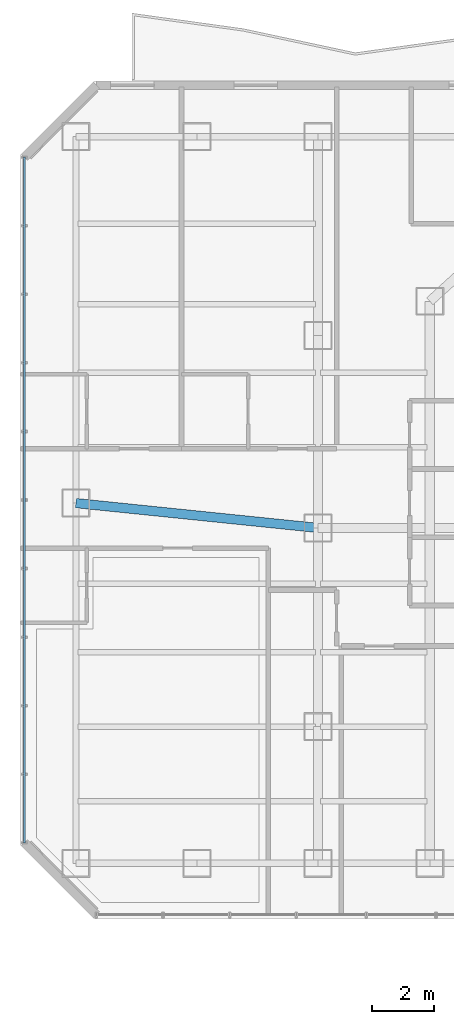
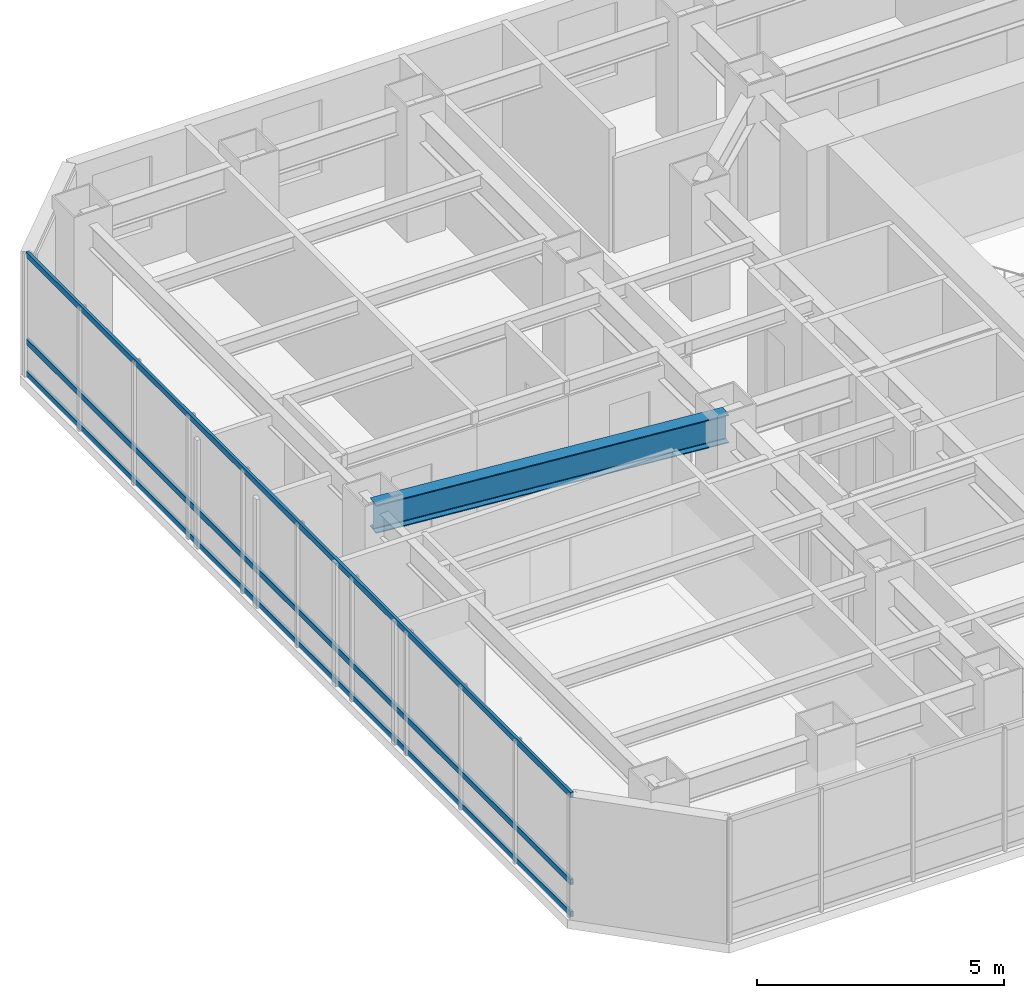
# One storey, part 20 of 36: 3 members, 1 beam, 1 element without a shape of its own.
"""IFC4 building model written with IfcOpenShell, lengths in metres."""

from ifc_helpers import new_model, si_unit, direction, frame, origin, origin_2d, place, context, subcontext, project, spatial, hollow_rectangle, i_section, extrude, material, layer, layer_set, material_profile, profile_set, type_object, element, aggregate, save


model = new_model("IFC4")

# Units and contexts
model_context = context("Model", 3, precision=1e-05, world=origin(), true_north=direction((0.0, 1.0)))
body_context = subcontext(model_context, "Body", "Model", "MODEL_VIEW")
ifc_project = project(units=[si_unit("LENGTHUNIT", "METRE"), si_unit("AREAUNIT", "SQUARE_METRE"), si_unit("VOLUMEUNIT", "CUBIC_METRE"), si_unit("PLANEANGLEUNIT", "RADIAN"), si_unit("MASSUNIT", "GRAM", prefix="KILO")], contexts=[model_context])

# Site, building, storey
site_placement = place(None, origin())
site = spatial("IfcSite", under=ifc_project, at=site_placement, CompositionType="ELEMENT")
building_placement = place(site_placement, origin())
building = spatial("IfcBuilding", under=site, at=building_placement, Name="Hatsunagi Terrace Concourse", CompositionType="ELEMENT")
storey_placement = place(building_placement, frame((0.0, 0.0, 88.0)))
storey = spatial("IfcBuildingStorey", under=building, at=storey_placement, Name="L23", CompositionType="ELEMENT", Elevation=88.0)

# Curtain wall, members
ifc_material_1 = material(Name="Anodised Aluminium Alloy 6063-T5", Category="aluminium")
ifc_layer = layer(ifc_material_1, 0.199951171875)
ifc_layer_set = layer_set([ifc_layer], Name="HotelFacade_CW02")
curtain_wall_type = type_object("IfcCurtainWallType", Name="HotelFacade_CW02", PredefinedType="NOTDEFINED", material=ifc_layer_set)
curtain_wall_placement = place(storey_placement, origin())
curtain_wall = element("IfcCurtainWall", 1, at=curtain_wall_placement, inside=storey, type_object=curtain_wall_type, Name="Unitised Curtain Wall CW-02 CW-L23-09", PredefinedType="NOTDEFINED")
ifc_material_2 = material(Name="Anodised Aluminium Alloy 6063-T5", Category="aluminium")
ifc_material_profile_1 = material_profile(ifc_material_2, hollow_rectangle(XDim=0.06494140625, YDim=0.139892578125, WallThickness=0.00390625, at=origin_2d()), Name="ALU-TRN-140x65x4")
ifc_profile_set_1 = profile_set([ifc_material_profile_1], Name="Anodised Aluminium Alloy 6063-T5")
member_type = type_object("IfcMemberType", Name="CurtainWallTransom_140x65", PredefinedType="USERDEFINED", material=ifc_profile_set_1)
member_1_placement = place(storey_placement, frame((9.739990234375, 25.85791015625, 0.050048828125), z_axis=(0.0, 1.0, 0.0), x_axis=(-1.0, 0.0, 0.0)))
member_1 = element("IfcMember", 2, at=member_1_placement, type_object=member_type, Name="Curtain Wall Transom TRN-02", ObjectType="TRANSOM", PredefinedType="USERDEFINED", context=body_context, shape_type="SweptSolid", body=[
    extrude(hollow_rectangle(XDim=0.06494140625, YDim=0.139892578125, WallThickness=0.00390625, at=origin_2d()), origin(), (0.0, 0.0, 1.0), 22.083984375),
])
member_2_placement = place(storey_placement, frame((9.739990234375, 25.85791015625, 0.85009765625), z_axis=(0.0, 1.0, 0.0), x_axis=(-1.0, 0.0, 0.0)))
member_2 = element("IfcMember", 3, at=member_2_placement, type_object=member_type, Name="Curtain Wall Transom TRN-02", ObjectType="TRANSOM", PredefinedType="USERDEFINED", context=body_context, shape_type="SweptSolid", body=[
    extrude(hollow_rectangle(XDim=0.06494140625, YDim=0.139892578125, WallThickness=0.00390625, at=origin_2d()), origin(), (0.0, 0.0, 1.0), 22.083984375),
])
member_3_placement = place(storey_placement, frame((9.739990234375, 25.85791015625, 3.0), z_axis=(0.0, 1.0, 0.0), x_axis=(-1.0, 0.0, 0.0)))
member_3 = element("IfcMember", 4, at=member_3_placement, type_object=member_type, Name="Curtain Wall Transom TRN-02", ObjectType="TRANSOM", PredefinedType="USERDEFINED", context=body_context, shape_type="SweptSolid", body=[
    extrude(hollow_rectangle(XDim=0.06494140625, YDim=0.139892578125, WallThickness=0.00390625, at=origin_2d()), origin(), (0.0, 0.0, 1.0), 22.083984375),
])
aggregate(curtain_wall, [member_1, member_2, member_3])

# Beam
ifc_material_3 = material(Name="Steel SN490B", Category="steel")
ifc_material_profile_2 = material_profile(ifc_material_3, i_section(OverallWidth=0.300048828125, OverallDepth=0.699951171875, WebThickness=0.012939453125, FlangeThickness=0.02392578125, FilletRadius=0.02197265625, at=origin_2d()), Name="H-700x300x13x24")
ifc_profile_set_2 = profile_set([ifc_material_profile_2], Name="Steel SN490B")
beam_type = type_object("IfcBeamType", Name="HotelFloorGirder_H_700x300", PredefinedType="BEAM", material=ifc_profile_set_2)
beam_placement = place(storey_placement, frame((11.39990234375, 36.800048828125, 2.699951171875), z_axis=(0.994780871372, -0.102034395927, 0.0), x_axis=(0.102034395927, 0.994780871372, 0.0)))
element("IfcBeam", 5, at=beam_placement, inside=storey, type_object=beam_type, Name="Beam G-04 BM-L23-EW-2", PredefinedType="BEAM", context=body_context, shape_type="SweptSolid", body=[
    extrude(i_section(OverallWidth=0.300048828125, OverallDepth=0.699951171875, WebThickness=0.012939453125, FlangeThickness=0.02392578125, FilletRadius=0.02197265625, at=origin_2d()), origin(), (0.0, 0.0, 1.0), 7.841064453125),
])

save(model, "model.ifc")
